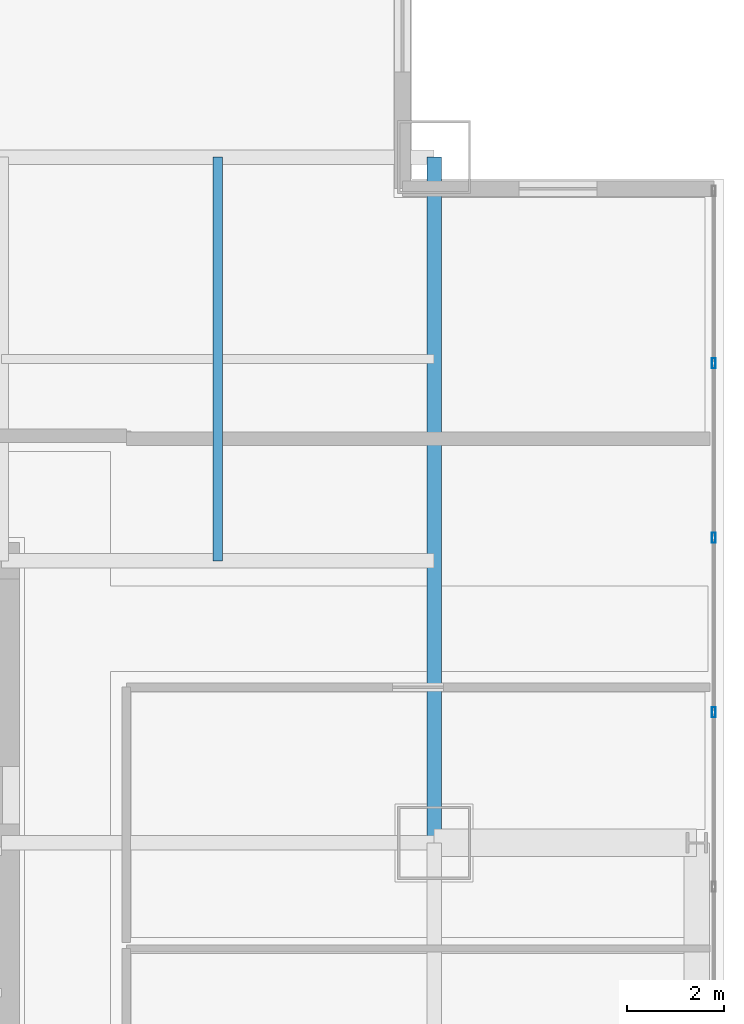
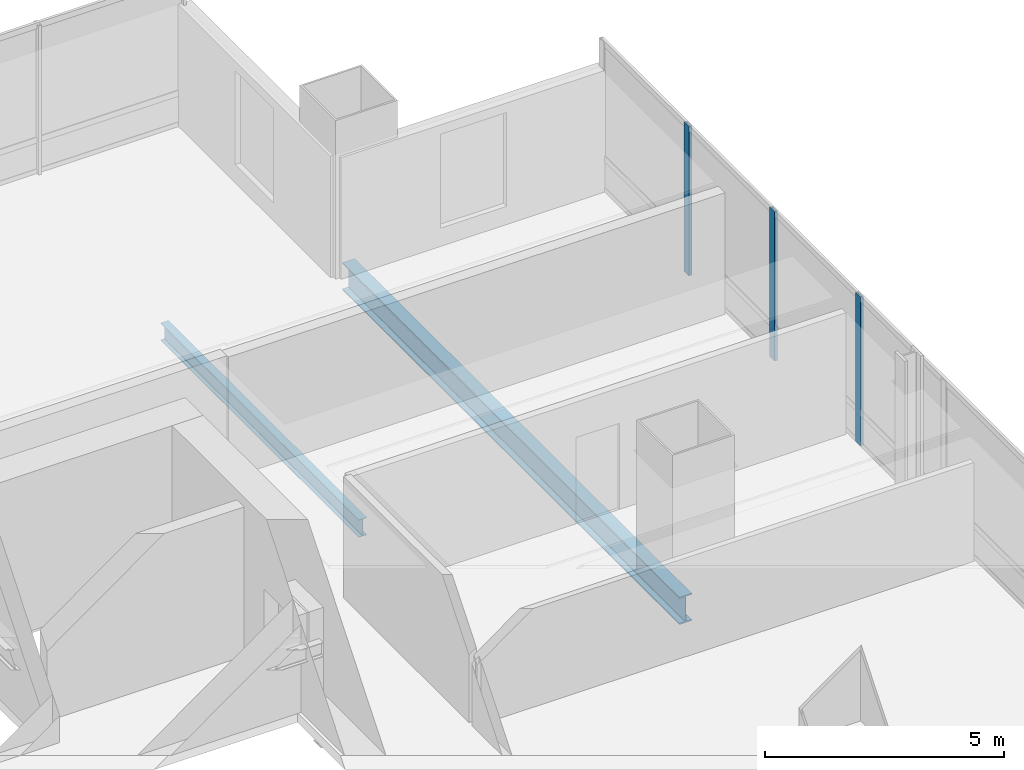
# One storey, part 19 of 35: 3 members, 2 beams, 1 element without a shape of its own.
"""IFC4 building model written with IfcOpenShell, lengths in metres."""

import ifcopenshell
import ifcopenshell.guid

model = None  # the IFC model being written
_history = None  # IfcOwnerHistory: only IFC2X3 demands one
_inside = {}  # id of a spatial element -> (the spatial element, [elements in it])
_under = {}  # id of a project, library or spatial element -> (it, [spatial elements below it])
_declared = {}  # id of a project -> (the project, [libraries it declares])
_typed = {}  # id of a type object -> (the type object, [elements of that type])
_made_of = {}  # id of a material, layer set ... -> (it, [elements and type objects made of it])


def new_model(schema):
    """Start an empty IFC model of exactly this schema.

    Asked for "IFC4X3", IfcOpenShell would pick the latest addendum, in which some entities
    have other attributes; the version numbers below select the first issue.
    IFC2X3 requires an IfcOwnerHistory on every rooted entity: one is made here for all.
    """
    global model, _history
    if schema == "IFC4X3":
        model = ifcopenshell.file(schema_version=(4, 3, 0, 0))
    else:
        model = ifcopenshell.file(schema=schema)
    _inside.clear()
    _under.clear()
    _declared.clear()
    _typed.clear()
    _made_of.clear()
    _history = None
    if model.schema == "IFC2X3":
        org = make("IfcOrganization", Name="unknown")
        user = make(
            "IfcPersonAndOrganization",
            ThePerson=make("IfcPerson", FamilyName="unknown"),
            TheOrganization=org,
        )
        app = make(
            "IfcApplication",
            ApplicationDeveloper=org,
            Version="unknown",
            ApplicationFullName="unknown",
            ApplicationIdentifier="unknown",
        )
        _history = make(
            "IfcOwnerHistory",
            OwningUser=user,
            OwningApplication=app,
            ChangeAction="ADDED",
            CreationDate=0,
        )
    return model


def make(cls, **values):
    """One entity of the class cls with the attributes given. An attribute that is None is left unset."""
    return model.create_entity(
        cls, **{name: value for name, value in values.items() if value is not None}
    )


def rooted(cls, **values):
    """An entity with a GlobalId (a new one), such as an element, a storey or a relation."""
    return make(cls, GlobalId=ifcopenshell.guid.new(), OwnerHistory=_history, **values)


def si_unit(unit_type, name, prefix=None):
    """IfcSIUnit, for example si_unit("LENGTHUNIT", "METRE", prefix="MILLI")."""
    return make("IfcSIUnit", UnitType=unit_type, Prefix=prefix, Name=name)


def assignment(units):
    """IfcUnitAssignment: the units of a project."""
    return None if units is None else make("IfcUnitAssignment", Units=units)


def point(xyz):
    """IfcCartesianPoint."""
    return None if xyz is None else make("IfcCartesianPoint", Coordinates=xyz)


def direction(xyz):
    """IfcDirection."""
    return None if xyz is None else make("IfcDirection", DirectionRatios=xyz)


def frame(location, z_axis=None, x_axis=None):
    """IfcAxis2Placement3D, a coordinate frame: its origin and axes. An axis left out is left unset."""
    return make(
        "IfcAxis2Placement3D",
        Location=point(location),
        Axis=direction(z_axis),
        RefDirection=direction(x_axis),
    )


def frame_2d(location, x_axis=None):
    """IfcAxis2Placement2D, a coordinate frame in the plane: its origin and x axis."""
    return make(
        "IfcAxis2Placement2D", Location=point(location), RefDirection=direction(x_axis)
    )


def origin():
    """The frame at (0, 0, 0) with its axes left unset."""
    return frame((0.0, 0.0, 0.0))


def origin_2d():
    """The frame at (0, 0) in the plane with its x axis left unset."""
    return frame_2d((0.0, 0.0))


def place(relative_to, where):
    """IfcLocalPlacement: puts the frame where relative to a parent placement (None: the world)."""
    return make(
        "IfcLocalPlacement", PlacementRelTo=relative_to, RelativePlacement=where
    )


def context(
    kind, dimensions, precision=None, world=None, true_north=None, identifier=None
):
    """IfcGeometricRepresentationContext, for example the 3D "Model" context."""
    return make(
        "IfcGeometricRepresentationContext",
        ContextIdentifier=identifier,
        ContextType=kind,
        CoordinateSpaceDimension=dimensions,
        Precision=precision,
        WorldCoordinateSystem=world,
        TrueNorth=true_north,
    )


def subcontext(parent, identifier, kind, view, scale=None):
    """IfcGeometricRepresentationSubContext, for example "Body" below "Model"."""
    return make(
        "IfcGeometricRepresentationSubContext",
        ContextIdentifier=identifier,
        ContextType=kind,
        ParentContext=parent,
        TargetScale=scale,
        TargetView=view,
    )


def project(units=None, contexts=None):
    """IfcProject with its units and contexts."""
    return rooted(
        "IfcProject",
        Name="project",
        RepresentationContexts=contexts,
        UnitsInContext=assignment(units),
    )


def spatial(cls, under=None, at=None, **own):
    """A site, building, storey or space (cls), placed at a placement, below another one or the project."""
    s = rooted(cls, ObjectPlacement=at, **own)
    if under is not None:
        _under.setdefault(under.id(), (under, []))[1].append(s)
    return s


def profile(cls, at=None, kind="AREA", **sizes):
    """A parametric profile (cls). Its sizes go by their IFC names, for example OverallWidth=200.0."""
    return make(cls, ProfileType=kind, Position=at, **sizes)


def hollow_rectangle(**sizes):
    """IfcRectangleHollowProfileDef."""
    return profile("IfcRectangleHollowProfileDef", **sizes)


def i_section(**sizes):
    """IfcIShapeProfileDef."""
    return profile("IfcIShapeProfileDef", **sizes)


def extrude(swept, where, along, depth):
    """IfcExtrudedAreaSolid: the profile swept, set in the frame where, extruded along a direction by depth."""
    return make(
        "IfcExtrudedAreaSolid",
        SweptArea=swept,
        Position=where,
        ExtrudedDirection=direction(along),
        Depth=depth,
    )


def shape(context_of_items, identifier, shape_type, items):
    """IfcShapeRepresentation: the items that make up one representation, for example the "Body"."""
    return make(
        "IfcShapeRepresentation",
        ContextOfItems=context_of_items,
        RepresentationIdentifier=identifier,
        RepresentationType=shape_type,
        Items=items,
    )


def material(Name=None, Category=None):
    """IfcMaterial."""
    return make("IfcMaterial", Name=Name, Category=Category)


def material_profile(
    of_material, cross_section, Name=None, Category=None, Priority=None
):
    """IfcMaterialProfile: a cross section and its material."""
    return make(
        "IfcMaterialProfile",
        Name=Name,
        Material=of_material,
        Profile=cross_section,
        Priority=Priority,
        Category=Category,
    )


def profile_set(profiles, Name=None, composite=None):
    """IfcMaterialProfileSet."""
    return make(
        "IfcMaterialProfileSet",
        Name=Name,
        MaterialProfiles=profiles,
        CompositeProfile=composite,
    )


def made_of(thing, what):
    """Note that an element or type object is made of a material, layer set ...; save() writes the relation."""
    if what is not None:
        _made_of.setdefault(what.id(), (what, []))[1].append(thing)
    return thing


def type_object(cls, material=None, **own):
    """A type object (cls), such as IfcWallType, which elements share."""
    return made_of(rooted(cls, **own), material)


def element(
    cls,
    number,
    at=None,
    inside=None,
    cuts=None,
    type_object=None,
    material=None,
    context=None,
    identifier="Body",
    shape_type=None,
    held_by="IfcProductDefinitionShape",
    body=None,
    shapes=None,
    **own,
):
    """One element of the class cls, such as IfcWall. Its Tag is "e" and its number.

    at: its placement. inside: the storey or other place that contains it. cuts: it is an
    opening in that element (IfcRelVoidsElement). A single representation is given by context,
    identifier, shape_type and body (its items); several are given by shapes. held_by: the class
    of the entity that holds the representations. save() writes the other relations.
    """
    e = rooted(cls, Tag="e%d" % number, ObjectPlacement=at, **own)
    if body is not None:
        shapes = [shape(context, identifier, shape_type, body)]
    if shapes is not None:
        e.Representation = make(held_by, Representations=shapes)
    if inside is not None:
        _inside.setdefault(inside.id(), (inside, []))[1].append(e)
    if cuts is not None:
        rooted(
            "IfcRelVoidsElement", RelatingBuildingElement=cuts, RelatedOpeningElement=e
        )
    if type_object is not None:
        _typed.setdefault(type_object.id(), (type_object, []))[1].append(e)
    return made_of(e, material)


def aggregate(whole, parts):
    """IfcRelAggregates: a whole, such as a stair, and the parts it consists of."""
    return rooted("IfcRelAggregates", RelatingObject=whole, RelatedObjects=parts)


def save(model, path):
    """Write the relations noted so far, then the file.

    IfcRelAggregates (storeys below a building ...), IfcRelContainedInSpatialStructure (elements
    in a storey), IfcRelDefinesByType, IfcRelAssociatesMaterial and IfcRelDeclares: one each for
    every whole, place, type object, material and project.
    """
    for whole, parts in _under.values():
        aggregate(whole, parts)
    for where, things in _inside.values():
        rooted(
            "IfcRelContainedInSpatialStructure",
            RelatedElements=things,
            RelatingStructure=where,
        )
    for kind, things in _typed.values():
        rooted("IfcRelDefinesByType", RelatedObjects=things, RelatingType=kind)
    for what, things in _made_of.values():
        rooted("IfcRelAssociatesMaterial", RelatedObjects=things, RelatingMaterial=what)
    for by, libraries in _declared.values():
        rooted("IfcRelDeclares", RelatingContext=by, RelatedDefinitions=libraries)
    model.write(path)


model = new_model("IFC4")

# Units and contexts
model_context = context("Model", 3, precision=1e-05, world=origin(), true_north=direction((0.0, 1.0)))
body_context = subcontext(model_context, "Body", "Model", "MODEL_VIEW")
ifc_project = project(units=[si_unit("LENGTHUNIT", "METRE"), si_unit("AREAUNIT", "SQUARE_METRE"), si_unit("VOLUMEUNIT", "CUBIC_METRE"), si_unit("PLANEANGLEUNIT", "RADIAN"), si_unit("MASSUNIT", "GRAM", prefix="KILO")], contexts=[model_context])

# Site, building, storey
site_placement = place(None, origin())
site = spatial("IfcSite", under=ifc_project, at=site_placement, CompositionType="ELEMENT")
building_placement = place(site_placement, origin())
building = spatial("IfcBuilding", under=site, at=building_placement, Name="Punatoya Terracotta Tower", CompositionType="ELEMENT")
storey_placement = place(building_placement, frame((0.0, 0.0, 113.25)))
storey = spatial("IfcBuildingStorey", under=building, at=storey_placement, Name="L26", CompositionType="ELEMENT", Elevation=113.25)

# Beams
ifc_material_1 = material(Name="Steel S355", Category="steel")
ifc_material_profile_1 = material_profile(ifc_material_1, i_section(OverallWidth=0.300048828125, OverallDepth=0.699951171875, WebThickness=0.01708984375, FlangeThickness=0.031982421875, FilletRadius=0.01806640625, at=origin_2d()))
ifc_profile_set_1 = profile_set([ifc_material_profile_1], Name="Steel S355")
beam_type_1 = type_object("IfcBeamType", Name="BM-PRI-700", PredefinedType="BEAM", material=ifc_profile_set_1)
beam_1_placement = place(storey_placement, frame((19.10009765625, 3.39990234375, -0.590087890625), z_axis=(0.0, 1.0, 0.0), x_axis=(-1.0, 0.0, 0.0)))
element("IfcBeam", 1, at=beam_1_placement, inside=storey, type_object=beam_type_1, Name="BM-L26-RG-E3", PredefinedType="BEAM", context=body_context, shape_type="SweptSolid", body=[
    extrude(i_section(OverallWidth=0.300048828125, OverallDepth=0.699951171875, WebThickness=0.01708984375, FlangeThickness=0.031982421875, FilletRadius=0.01806640625, at=origin_2d()), origin(), (0.0, 0.0, 1.0), 14.10009765625),
])
ifc_material_profile_2 = material_profile(ifc_material_1, i_section(OverallWidth=0.18994140625, OverallDepth=0.449951171875, WebThickness=0.009521484375, FlangeThickness=0.0146484375, FilletRadius=0.01806640625, at=origin_2d()))
ifc_profile_set_2 = profile_set([ifc_material_profile_2], Name="Steel S355")
beam_type_2 = type_object("IfcBeamType", Name="BM-SEC-450", PredefinedType="JOIST", material=ifc_profile_set_2)
beam_2_placement = place(storey_placement, frame((14.64990234375, 9.199951171875, -0.465087890625), z_axis=(0.0, 1.0, 0.0), x_axis=(-1.0, 0.0, 0.0)))
element("IfcBeam", 2, at=beam_2_placement, inside=storey, type_object=beam_type_2, Name="BM-L26-SJE-2", PredefinedType="JOIST", context=body_context, shape_type="SweptSolid", body=[
    extrude(i_section(OverallWidth=0.18994140625, OverallDepth=0.449951171875, WebThickness=0.009521484375, FlangeThickness=0.0146484375, FilletRadius=0.01806640625, at=origin_2d()), origin(), (0.0, 0.0, 1.0), 8.300048828125),
])

# Curtain wall, members
ifc_material_2 = material(Name="Aluminium 6063-T6 + Double Low-E Glass", Category="aluminium")
curtain_wall_type = type_object("IfcCurtainWallType", Name="CW-M1", PredefinedType="NOTDEFINED", material=ifc_material_2)
curtain_wall_placement = place(storey_placement, origin())
curtain_wall = element("IfcCurtainWall", 3, at=curtain_wall_placement, inside=storey, type_object=curtain_wall_type, Name="L26 Curtain Wall CW-L26-E05-1", PredefinedType="NOTDEFINED")
ifc_material_3 = material(Name="Aluminium 6063-T6", Category="aluminium")
ifc_material_profile_3 = material_profile(ifc_material_3, hollow_rectangle(XDim=0.074951171875, YDim=0.2099609375, WallThickness=0.00439453125, at=origin_2d()))
ifc_profile_set_3 = profile_set([ifc_material_profile_3], Name="Aluminium 6063-T6")
member_type = type_object("IfcMemberType", Name="CW-MUL-M1", PredefinedType="MULLION", material=ifc_profile_set_3)
member_1_placement = place(storey_placement, frame((24.85009765625, 6.087646484375, 0.0), z_axis=(0.0, 0.0, 1.0), x_axis=(1.0, 0.0, 0.0)))
member_1 = element("IfcMember", 4, at=member_1_placement, type_object=member_type, Name="CW-L26-E05-1 Mullion 06", PredefinedType="MULLION", context=body_context, shape_type="SweptSolid", body=[
    extrude(hollow_rectangle(XDim=0.074951171875, YDim=0.2099609375, WallThickness=0.00439453125, at=origin_2d()), origin(), (0.0, 0.0, 1.0), 3.81005859375),
])
member_2_placement = place(storey_placement, frame((24.85009765625, 9.675048828125, 0.0), z_axis=(0.0, 0.0, 1.0), x_axis=(1.0, 0.0, 0.0)))
member_2 = element("IfcMember", 5, at=member_2_placement, type_object=member_type, Name="CW-L26-E05-1 Mullion 07", PredefinedType="MULLION", context=body_context, shape_type="SweptSolid", body=[
    extrude(hollow_rectangle(XDim=0.074951171875, YDim=0.2099609375, WallThickness=0.00439453125, at=origin_2d()), origin(), (0.0, 0.0, 1.0), 3.81005859375),
])
member_3_placement = place(storey_placement, frame((24.85009765625, 13.2626953125, 0.0), z_axis=(0.0, 0.0, 1.0), x_axis=(1.0, 0.0, 0.0)))
member_3 = element("IfcMember", 6, at=member_3_placement, type_object=member_type, Name="CW-L26-E05-1 Mullion 08", PredefinedType="MULLION", context=body_context, shape_type="SweptSolid", body=[
    extrude(hollow_rectangle(XDim=0.074951171875, YDim=0.2099609375, WallThickness=0.00439453125, at=origin_2d()), origin(), (0.0, 0.0, 1.0), 3.81005859375),
])
aggregate(curtain_wall, [member_1, member_2, member_3])

save(model, "model.ifc")
